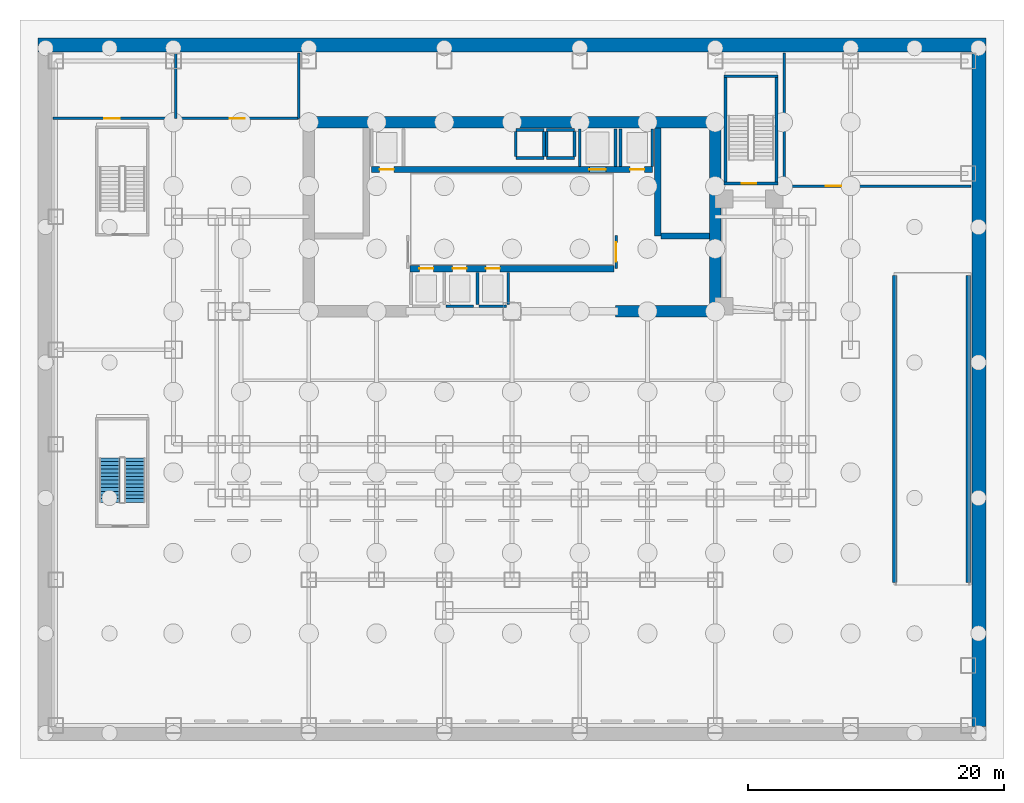
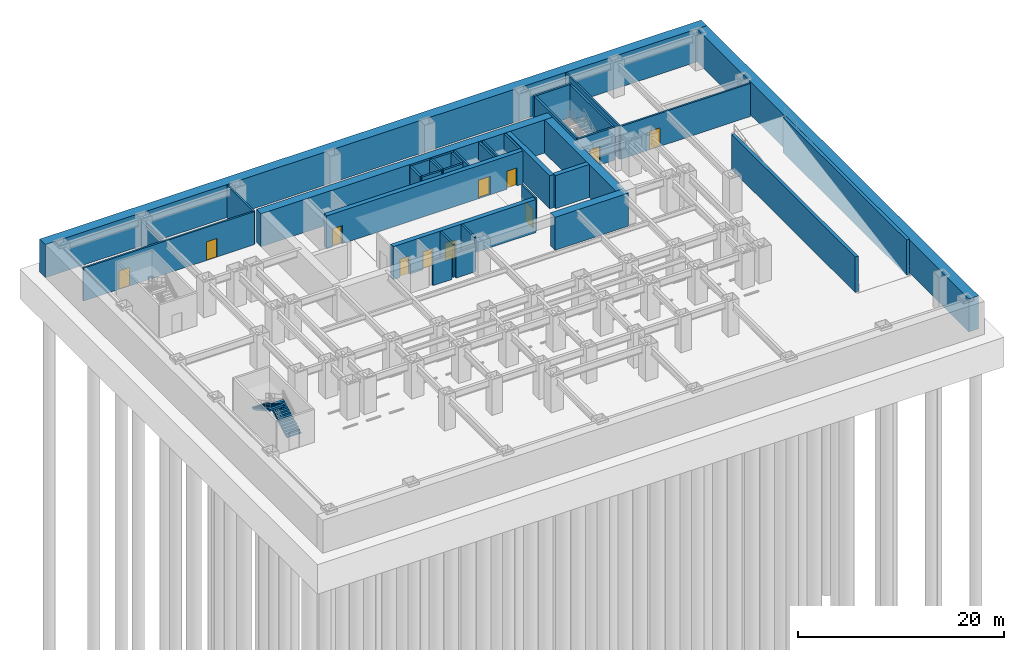
# One storey, part 4 of 7: 37 walls, 11 doors, 2 stair flights, 11 openings, 1 element without a shape of its own.
"""IFC4 building model written with IfcOpenShell, lengths in metres."""

from ifc_helpers import new_model, si_unit, direction, frame, frame_2d, origin, place, context, subcontext, project, spatial, polyline, rectangle, outline, extrude, material, layer, layer_set, type_object, element, fill, aggregate, save


model = new_model("IFC4")

# Units and contexts
model_context = context("Model", 3, precision=1e-05, world=origin(), true_north=direction((0.0, 1.0)))
body_context = subcontext(model_context, "Body", "Model", "MODEL_VIEW")
ifc_project = project(units=[si_unit("LENGTHUNIT", "METRE"), si_unit("AREAUNIT", "SQUARE_METRE"), si_unit("VOLUMEUNIT", "CUBIC_METRE"), si_unit("PLANEANGLEUNIT", "RADIAN"), si_unit("MASSUNIT", "GRAM", prefix="KILO")], contexts=[model_context])

# Site, building, storey
site_placement = place(None, origin())
site = spatial("IfcSite", under=ifc_project, at=site_placement, CompositionType="ELEMENT")
building_placement = place(site_placement, origin())
building = spatial("IfcBuilding", under=site, at=building_placement, Name="Qianlan Lanfeng Residences", CompositionType="ELEMENT")
storey_placement = place(building_placement, frame((0.0, 0.0, -8.39990234375)))
storey = spatial("IfcBuildingStorey", under=building, at=storey_placement, Name="B2", CompositionType="ELEMENT", Elevation=-8.39990234375)

# Walls
ifc_material_1 = material(Name="Concrete C49", Category="concrete")
ifc_layer_1 = layer(ifc_material_1, 0.35009765625)
ifc_layer_set_1 = layer_set([ifc_layer_1], Name="Concrete C49")
wall_type_1 = type_object("IfcWallType", Name="CW-RC-350", PredefinedType="SHEAR", material=ifc_layer_set_1)
for number, where, z_axis, x_axis, name in (
    (1, (56.449951171875, 4.0, 0.0), (0.0, 0.0, 1.0), (0.0, 1.0, 0.0), "B2 Vehicle Ramp Structural Bearing Wall W"),
    (2, (62.219970703125, 4.0, 0.0), (0.0, 0.0, 1.0), (0.0, 1.0, 0.0), "B2 Vehicle Ramp Structural Bearing Wall E"),
):
    element("IfcWall", number, at=place(storey_placement, frame(where, z_axis=z_axis, x_axis=x_axis)), inside=storey, type_object=wall_type_1, Name=name, PredefinedType="SHEAR", context=body_context, shape_type="SweptSolid", body=[
        extrude(rectangle(XDim=24.0, YDim=0.35009765625, at=frame_2d((12.0, 0.0))), origin(), (0.0, 0.0, 1.0), 4.199951171875),
    ])
ifc_material_2 = material(Name="Concrete C70", Category="concrete")
ifc_layer_2 = layer(ifc_material_2, 0.5)
ifc_layer_set_2 = layer_set([ifc_layer_2], Name="Concrete C70")
wall_type_2 = type_object("IfcWallType", Name="CW-RC-500", PredefinedType="SHEAR", material=ifc_layer_set_2)
wall_1_placement = place(storey_placement, frame((37.89990234375, 31.10009765625, 0.0), z_axis=(0.0, 0.0, 1.0), x_axis=(0.0, 1.0, 0.0)))
element("IfcWall", 3, at=wall_1_placement, inside=storey, type_object=wall_type_2, Name="B2 Core Shear Wall ST2W", PredefinedType="SHEAR", context=body_context, shape_type="SweptSolid", body=[
    extrude(rectangle(XDim=8.449951171875, YDim=0.5, at=frame_2d((4.22509765625, 0.0))), origin(), (0.0, 0.0, 1.0), 3.919921875),
])
wall_2_placement = place(storey_placement, frame((38.14990234375, 31.10009765625, 0.0), z_axis=(0.0, 0.0, 1.0), x_axis=(1.0, 0.0, 0.0)))
element("IfcWall", 4, at=wall_2_placement, inside=storey, type_object=wall_type_2, Name="B2 Core Shear Wall ST2S", PredefinedType="SHEAR", context=body_context, shape_type="SweptSolid", body=[
    extrude(rectangle(XDim=3.800048828125, YDim=0.5, at=frame_2d((1.89990234375, 0.0))), origin(), (0.0, 0.0, 1.0), 3.919921875),
])

# Wall, openings, doors
wall_3_placement = place(storey_placement, frame((15.5, 36.300048828125, 0.0), z_axis=(0.0, 0.0, 1.0), x_axis=(1.0, 0.0, 0.0)))
wall_3 = element("IfcWall", 5, at=wall_3_placement, inside=storey, type_object=wall_type_2, Name="B2 Core Shear Wall LBN", PredefinedType="SHEAR", context=body_context, shape_type="SweptSolid", body=[
    extrude(rectangle(XDim=22.0, YDim=0.5, at=frame_2d((11.0, 0.0))), origin(), (0.0, 0.0, 1.0), 3.919921875),
])
opening_1_placement = place(wall_3_placement, frame((0.64990234375, 0.0, 0.0)))
opening_1 = element("IfcOpeningElement", 6, at=opening_1_placement, cuts=wall_3, Name="Opening B2-LD-FFL-1", PredefinedType="OPENING", context=body_context, shape_type="SweptSolid", body=[
    extrude(rectangle(XDim=1.10009765625, YDim=2.14990234375, at=frame_2d((0.550048828125, 1.074951171875))), frame((0.0, 0.260009765625, 0.0), z_axis=(0.0, -1.0, 0.0), x_axis=(1.0, 0.0, 0.0)), (0.0, 0.0, 1.0), 0.52001953125),
])
opening_2_placement = place(wall_3_placement, frame((20.25, 0.0, 0.0)))
opening_2 = element("IfcOpeningElement", 7, at=opening_2_placement, cuts=wall_3, Name="Opening B2-LD-FFL-2", PredefinedType="OPENING", context=body_context, shape_type="SweptSolid", body=[
    extrude(rectangle(XDim=1.10009765625, YDim=2.14990234375, at=frame_2d((0.550048828125, 1.074951171875))), frame((0.0, 0.260009765625, 0.0), z_axis=(0.0, -1.0, 0.0), x_axis=(1.0, 0.0, 0.0)), (0.0, 0.0, 1.0), 0.52001953125),
])
opening_3_placement = place(wall_3_placement, frame((17.050048828125, 0.0, 0.0)))
opening_3 = element("IfcOpeningElement", 8, at=opening_3_placement, cuts=wall_3, Name="Opening B2-LD-SVL-1", PredefinedType="OPENING", context=body_context, shape_type="SweptSolid", body=[
    extrude(rectangle(XDim=1.300048828125, YDim=2.199951171875, at=frame_2d((0.64990234375, 1.10009765625))), frame((0.0, 0.260009765625, 0.0), z_axis=(0.0, -1.0, 0.0), x_axis=(1.0, 0.0, 0.0)), (0.0, 0.0, 1.0), 0.52001953125),
])
ifc_material_3 = material(Name="Brushed Stainless Steel Sliding Lift Door", Category="steel")
door_type_1 = type_object("IfcDoorType", Name="LD-01", OperationType="NOTDEFINED", PredefinedType="DOOR", material=ifc_material_3)
door_1_placement = place(opening_1_placement, frame((1.10009765625, 0.0, 0.0), z_axis=(0.0, 0.0, 1.0), x_axis=(-1.0, 0.0, 0.0)))
door_1 = element("IfcDoor", 9, at=door_1_placement, inside=storey, type_object=door_type_1, Name="B2 Elevator FFL-1 Sliding Landing Door", OperationType="DOUBLE_DOOR_SLIDING", OverallHeight=2.14990234375, OverallWidth=1.10009765625, PredefinedType="DOOR", context=body_context, shape_type="SweptSolid", body=[
    extrude(rectangle(XDim=1.10009765625, YDim=2.14990234375, at=frame_2d((0.550048828125, 1.074951171875))), frame((0.0, 0.02490234375, 0.0), z_axis=(0.0, -1.0, 0.0), x_axis=(1.0, 0.0, 0.0)), (0.0, 0.0, 1.0), 0.050048828125),
])
fill(opening_1, door_1)
door_2_placement = place(opening_2_placement, frame((1.10009765625, 0.0, 0.0), z_axis=(0.0, 0.0, 1.0), x_axis=(-1.0, 0.0, 0.0)))
door_2 = element("IfcDoor", 10, at=door_2_placement, inside=storey, type_object=door_type_1, Name="B2 Elevator FFL-2 Sliding Landing Door", OperationType="DOUBLE_DOOR_SLIDING", OverallHeight=2.14990234375, OverallWidth=1.10009765625, PredefinedType="DOOR", context=body_context, shape_type="SweptSolid", body=[
    extrude(rectangle(XDim=1.10009765625, YDim=2.14990234375, at=frame_2d((0.550048828125, 1.074951171875))), frame((0.0, 0.02490234375, 0.0), z_axis=(0.0, -1.0, 0.0), x_axis=(1.0, 0.0, 0.0)), (0.0, 0.0, 1.0), 0.050048828125),
])
fill(opening_2, door_2)
door_type_2 = type_object("IfcDoorType", Name="LD-02", OperationType="NOTDEFINED", PredefinedType="DOOR", material=ifc_material_3)
door_3_placement = place(opening_3_placement, frame((1.300048828125, 0.0, 0.0), z_axis=(0.0, 0.0, 1.0), x_axis=(-1.0, 0.0, 0.0)))
door_3 = element("IfcDoor", 11, at=door_3_placement, inside=storey, type_object=door_type_2, Name="B2 Elevator SVL-1 Sliding Landing Door", OperationType="DOUBLE_DOOR_SLIDING", OverallHeight=2.199951171875, OverallWidth=1.300048828125, PredefinedType="DOOR", context=body_context, shape_type="SweptSolid", body=[
    extrude(rectangle(XDim=1.300048828125, YDim=2.199951171875, at=frame_2d((0.64990234375, 1.10009765625))), frame((0.0, 0.02490234375, 0.0), z_axis=(0.0, -1.0, 0.0), x_axis=(1.0, 0.0, 0.0)), (0.0, 0.0, 1.0), 0.050048828125),
])
fill(opening_3, door_3)

wall_4_placement = place(storey_placement, frame((18.5, 28.550048828125, 0.0), z_axis=(0.0, 0.0, 1.0), x_axis=(1.0, 0.0, 0.0)))
wall_4 = element("IfcWall", 12, at=wall_4_placement, inside=storey, type_object=wall_type_2, Name="B2 Core Shear Wall LBS", PredefinedType="SHEAR", context=body_context, shape_type="SweptSolid", body=[
    extrude(rectangle(XDim=16.0, YDim=0.5, at=frame_2d((8.0, 0.0))), origin(), (0.0, 0.0, 1.0), 3.919921875),
])
opening_4_placement = place(wall_4_placement, frame((0.75, 0.0, 0.0)))
opening_4 = element("IfcOpeningElement", 13, at=opening_4_placement, cuts=wall_4, Name="Opening B2-LD-PL-L1", PredefinedType="OPENING", context=body_context, shape_type="SweptSolid", body=[
    extrude(rectangle(XDim=1.10009765625, YDim=2.14990234375, at=frame_2d((0.550048828125, 1.074951171875))), frame((0.0, 0.260009765625, 0.0), z_axis=(0.0, -1.0, 0.0), x_axis=(1.0, 0.0, 0.0)), (0.0, 0.0, 1.0), 0.52001953125),
])
opening_5_placement = place(wall_4_placement, frame((3.35009765625, 0.0, 0.0)))
opening_5 = element("IfcOpeningElement", 14, at=opening_5_placement, cuts=wall_4, Name="Opening B2-LD-PL-L2", PredefinedType="OPENING", context=body_context, shape_type="SweptSolid", body=[
    extrude(rectangle(XDim=1.10009765625, YDim=2.14990234375, at=frame_2d((0.550048828125, 1.074951171875))), frame((0.0, 0.260009765625, 0.0), z_axis=(0.0, -1.0, 0.0), x_axis=(1.0, 0.0, 0.0)), (0.0, 0.0, 1.0), 0.52001953125),
])
opening_6_placement = place(wall_4_placement, frame((5.949951171875, 0.0, 0.0)))
opening_6 = element("IfcOpeningElement", 15, at=opening_6_placement, cuts=wall_4, Name="Opening B2-LD-PL-L3", PredefinedType="OPENING", context=body_context, shape_type="SweptSolid", body=[
    extrude(rectangle(XDim=1.10009765625, YDim=2.14990234375, at=frame_2d((0.550048828125, 1.074951171875))), frame((0.0, 0.260009765625, 0.0), z_axis=(0.0, -1.0, 0.0), x_axis=(1.0, 0.0, 0.0)), (0.0, 0.0, 1.0), 0.52001953125),
])
door_4_placement = place(opening_4_placement, origin())
door_4 = element("IfcDoor", 16, at=door_4_placement, inside=storey, type_object=door_type_1, Name="B2 Elevator PL-L1 Sliding Landing Door", OperationType="DOUBLE_DOOR_SLIDING", OverallHeight=2.14990234375, OverallWidth=1.10009765625, PredefinedType="DOOR", context=body_context, shape_type="SweptSolid", body=[
    extrude(rectangle(XDim=1.10009765625, YDim=2.14990234375, at=frame_2d((0.550048828125, 1.074951171875))), frame((0.0, 0.02490234375, 0.0), z_axis=(0.0, -1.0, 0.0), x_axis=(1.0, 0.0, 0.0)), (0.0, 0.0, 1.0), 0.050048828125),
])
fill(opening_4, door_4)
door_5_placement = place(opening_5_placement, origin())
door_5 = element("IfcDoor", 17, at=door_5_placement, inside=storey, type_object=door_type_1, Name="B2 Elevator PL-L2 Sliding Landing Door", OperationType="DOUBLE_DOOR_SLIDING", OverallHeight=2.14990234375, OverallWidth=1.10009765625, PredefinedType="DOOR", context=body_context, shape_type="SweptSolid", body=[
    extrude(rectangle(XDim=1.10009765625, YDim=2.14990234375, at=frame_2d((0.550048828125, 1.074951171875))), frame((0.0, 0.02490234375, 0.0), z_axis=(0.0, -1.0, 0.0), x_axis=(1.0, 0.0, 0.0)), (0.0, 0.0, 1.0), 0.050048828125),
])
fill(opening_5, door_5)
door_6_placement = place(opening_6_placement, origin())
door_6 = element("IfcDoor", 18, at=door_6_placement, inside=storey, type_object=door_type_1, Name="B2 Elevator PL-L3 Sliding Landing Door", OperationType="DOUBLE_DOOR_SLIDING", OverallHeight=2.14990234375, OverallWidth=1.10009765625, PredefinedType="DOOR", context=body_context, shape_type="SweptSolid", body=[
    extrude(rectangle(XDim=1.10009765625, YDim=2.14990234375, at=frame_2d((0.550048828125, 1.074951171875))), frame((0.0, 0.02490234375, 0.0), z_axis=(0.0, -1.0, 0.0), x_axis=(1.0, 0.0, 0.0)), (0.0, 0.0, 1.0), 0.050048828125),
])
fill(opening_6, door_6)

# Walls
ifc_layer_3 = layer(ifc_material_2, 0.89990234375)
ifc_layer_set_3 = layer_set([ifc_layer_3], Name="Concrete C70")
wall_type_3 = type_object("IfcWallType", Name="CW-RC-900", PredefinedType="SHEAR", material=ifc_layer_set_3)
wall_5_placement = place(storey_placement, frame((10.14990234375, 40.0, 0.0), z_axis=(0.0, 0.0, 1.0), x_axis=(1.0, 0.0, 0.0)))
element("IfcWall", 19, at=wall_5_placement, inside=storey, type_object=wall_type_3, Name="B2 Core Shear Wall N", PredefinedType="SHEAR", context=body_context, shape_type="SweptSolid", body=[
    extrude(rectangle(XDim=32.7001953125, YDim=0.89990234375, at=frame_2d((16.35009765625, 0.0))), origin(), (0.0, 0.0, 1.0), 3.919921875),
])
wall_6_placement = place(storey_placement, frame((42.39990234375, 25.64990234375, 0.0), z_axis=(0.0, 0.0, 1.0), x_axis=(0.0, 1.0, 0.0)))
element("IfcWall", 20, at=wall_6_placement, inside=storey, type_object=wall_type_3, Name="B2 Core Shear Wall E", PredefinedType="SHEAR", context=body_context, shape_type="SweptSolid", body=[
    extrude(rectangle(XDim=13.900146484375, YDim=0.89990234375, at=frame_2d((6.9501953125, 0.0))), origin(), (0.0, 0.0, 1.0), 3.919921875),
])
wall_7_placement = place(storey_placement, frame((34.60009765625, 25.199951171875, 0.0), z_axis=(0.0, 0.0, 1.0), x_axis=(1.0, 0.0, 0.0)))
element("IfcWall", 21, at=wall_7_placement, inside=storey, type_object=wall_type_3, Name="B2 Core Shear Wall SE", PredefinedType="SHEAR", context=body_context, shape_type="SweptSolid", body=[
    extrude(rectangle(XDim=8.25, YDim=0.89990234375, at=frame_2d((4.125, 0.0))), origin(), (0.0, 0.0, 1.0), 3.919921875),
])
ifc_layer_4 = layer(ifc_material_1, 1.10009765625)
ifc_layer_set_4 = layer_set([ifc_layer_4], Name="Concrete C49")
wall_type_4 = type_object("IfcWallType", Name="DW-1100", PredefinedType="USERDEFINED", material=ifc_layer_set_4)
wall_8_placement = place(storey_placement, frame((63.050048828125, -7.300048828125, 0.0), z_axis=(0.0, 0.0, 1.0), x_axis=(0.0, 1.0, 0.0)))
element("IfcWall", 22, at=wall_8_placement, inside=storey, type_object=wall_type_4, Name="B2 Diaphragm Retaining Wall E", ObjectType="RETAININGWALL", PredefinedType="USERDEFINED", context=body_context, shape_type="SweptSolid", body=[
    extrude(rectangle(XDim=52.800048828125, YDim=1.10009765625, at=frame_2d((26.39990234375, 0.0))), origin(), (0.0, 0.0, 1.0), 3.919921875),
])
wall_9_placement = place(storey_placement, frame((63.60009765625, 46.050048828125, 0.0), z_axis=(0.0, 0.0, 1.0), x_axis=(-1.0, 0.0, 0.0)))
element("IfcWall", 23, at=wall_9_placement, inside=storey, type_object=wall_type_4, Name="B2 Diaphragm Retaining Wall N", ObjectType="RETAININGWALL", PredefinedType="USERDEFINED", context=body_context, shape_type="SweptSolid", body=[
    extrude(rectangle(XDim=74.2001953125, YDim=1.10009765625, at=frame_2d((37.10009765625, 0.0))), origin(), (0.0, 0.0, 1.0), 3.919921875),
])

# Wall, opening, door
ifc_material_4 = material(Name="Autoclaved Aerated Concrete Blockwork 200 mm", Category="masonry")
ifc_layer_5 = layer(ifc_material_4, 0.199951171875)
ifc_layer_set_5 = layer_set([ifc_layer_5], Name="Autoclaved Aerated Concrete Blockwork 200 mm")
wall_type_5 = type_object("IfcWallType", Name="PW-200", PredefinedType="PARTITIONING", material=ifc_layer_set_5)
wall_10_placement = place(storey_placement, frame((34.64990234375, 28.550048828125, 0.0), z_axis=(0.0, 0.0, 1.0), x_axis=(0.0, 1.0, 0.0)))
wall_10 = element("IfcWall", 24, at=wall_10_placement, inside=storey, type_object=wall_type_5, Name="B2 Lift Lobby East Connector Wall", PredefinedType="PARTITIONING", context=body_context, shape_type="SweptSolid", body=[
    extrude(rectangle(XDim=2.599853515625, YDim=0.199951171875, at=frame_2d((1.2998046875, 0.0))), origin(), (0.0, 0.0, 1.0), 3.919921875),
])
opening_7_placement = place(wall_10_placement, frame((0.550048828125, 0.0, 0.0)))
opening_7 = element("IfcOpeningElement", 25, at=opening_7_placement, cuts=wall_10, Name="Opening B2-D05", PredefinedType="OPENING", context=body_context, shape_type="SweptSolid", body=[
    extrude(rectangle(XDim=1.5, YDim=2.25, at=frame_2d((0.75, 1.125))), frame((0.0, 0.10986328125, 0.0), z_axis=(0.0, -1.0, 0.0), x_axis=(1.0, 0.0, 0.0)), (0.0, 0.0, 1.0), 0.219970703125),
])
ifc_material_5 = material(Name="Timber Veneer Acoustic Fire Door", Category="wood")
door_type_3 = type_object("IfcDoorType", Name="DT-COR1", OperationType="NOTDEFINED", PredefinedType="DOOR", material=ifc_material_5)
door_7_placement = place(opening_7_placement, frame((1.5, 0.0, 0.0), z_axis=(0.0, 0.0, 1.0), x_axis=(-1.0, 0.0, 0.0)))
door_7 = element("IfcDoor", 26, at=door_7_placement, inside=storey, type_object=door_type_3, Name="B2 Lift Lobby East Portal Door B2-D05 (DT-COR1)", OperationType="DOUBLE_DOOR_SINGLE_SWING", OverallHeight=2.25, OverallWidth=1.5, PredefinedType="DOOR", context=body_context, shape_type="SweptSolid", body=[
    extrude(rectangle(XDim=1.5, YDim=2.25, at=frame_2d((0.75, 1.125))), frame((0.0, 0.02490234375, 0.0), z_axis=(0.0, -1.0, 0.0), x_axis=(1.0, 0.0, 0.0)), (0.0, 0.0, 1.0), 0.050048828125),
])
fill(opening_7, door_7)

# Wall, openings, doors
wall_11_placement = place(storey_placement, frame((-9.39990234375, 40.300048828125, 0.0), z_axis=(0.0, 0.0, 1.0), x_axis=(1.0, 0.0, 0.0)))
wall_11 = element("IfcWall", 27, at=wall_11_placement, inside=storey, type_object=wall_type_5, Name="B2 Basement Plant Room Wall", PredefinedType="PARTITIONING", context=body_context, shape_type="SweptSolid", body=[
    extrude(rectangle(XDim=19.199951171875, YDim=0.199951171875, at=frame_2d((9.60009765625, 0.0))), origin(), (0.0, 0.0, 1.0), 3.919921875),
])
opening_8_placement = place(wall_11_placement, frame((4.0, 0.0, 0.0)))
opening_8 = element("IfcOpeningElement", 28, at=opening_8_placement, cuts=wall_11, Name="Opening B2-D06", PredefinedType="OPENING", context=body_context, shape_type="SweptSolid", body=[
    extrude(rectangle(XDim=1.199951171875, YDim=2.199951171875, at=frame_2d((0.60009765625, 1.10009765625))), frame((0.0, 0.10986328125, 0.0), z_axis=(0.0, -1.0, 0.0), x_axis=(1.0, 0.0, 0.0)), (0.0, 0.0, 1.0), 0.219970703125),
])
opening_9_placement = place(wall_11_placement, frame((13.800048828125, 0.0, 0.0)))
opening_9 = element("IfcOpeningElement", 29, at=opening_9_placement, cuts=wall_11, Name="Opening B2-D07", PredefinedType="OPENING", context=body_context, shape_type="SweptSolid", body=[
    extrude(rectangle(XDim=1.199951171875, YDim=2.199951171875, at=frame_2d((0.60009765625, 1.10009765625))), frame((0.0, 0.10986328125, 0.0), z_axis=(0.0, -1.0, 0.0), x_axis=(1.0, 0.0, 0.0)), (0.0, 0.0, 1.0), 0.219970703125),
])
ifc_material_6 = material(Name="Painted Galvanised Steel Plant Door", Category="steel")
door_type_4 = type_object("IfcDoorType", Name="DT-PLT", OperationType="NOTDEFINED", PredefinedType="DOOR", material=ifc_material_6)
door_8_placement = place(opening_8_placement, origin())
door_8 = element("IfcDoor", 30, at=door_8_placement, inside=storey, type_object=door_type_4, Name="B2 Basement Plant Room Door B2-D06 (DT-PLT)", OperationType="SINGLE_SWING_RIGHT", OverallHeight=2.199951171875, OverallWidth=1.199951171875, PredefinedType="DOOR", context=body_context, shape_type="SweptSolid", body=[
    extrude(rectangle(XDim=1.199951171875, YDim=2.199951171875, at=frame_2d((0.60009765625, 1.10009765625))), frame((0.0, 0.02490234375, 0.0), z_axis=(0.0, -1.0, 0.0), x_axis=(1.0, 0.0, 0.0)), (0.0, 0.0, 1.0), 0.050048828125),
])
fill(opening_8, door_8)
door_9_placement = place(opening_9_placement, origin())
door_9 = element("IfcDoor", 31, at=door_9_placement, inside=storey, type_object=door_type_4, Name="B2 Fire Pump Room Door B2-D07 (DT-PLT)", OperationType="SINGLE_SWING_LEFT", OverallHeight=2.199951171875, OverallWidth=1.199951171875, PredefinedType="DOOR", context=body_context, shape_type="SweptSolid", body=[
    extrude(rectangle(XDim=1.199951171875, YDim=2.199951171875, at=frame_2d((0.60009765625, 1.10009765625))), frame((0.0, 0.02490234375, 0.0), z_axis=(0.0, -1.0, 0.0), x_axis=(1.0, 0.0, 0.0)), (0.0, 0.0, 1.0), 0.050048828125),
])
fill(opening_9, door_9)

# Walls
wall_12_placement = place(storey_placement, frame((9.800048828125, 40.300048828125, 0.0), z_axis=(0.0, 0.0, 1.0), x_axis=(0.0, 1.0, 0.0)))
element("IfcWall", 32, at=wall_12_placement, inside=storey, type_object=wall_type_5, Name="B2 Basement Plant East Wall", PredefinedType="PARTITIONING", context=body_context, shape_type="SweptSolid", body=[
    extrude(rectangle(XDim=5.099853515625, YDim=0.199951171875, at=frame_2d((2.5498046875, 0.0))), origin(), (0.0, 0.0, 1.0), 3.919921875),
])
wall_13_placement = place(storey_placement, frame((0.199951171875, 40.300048828125, 0.0), z_axis=(0.0, 0.0, 1.0), x_axis=(0.0, 1.0, 0.0)))
element("IfcWall", 33, at=wall_13_placement, inside=storey, type_object=wall_type_5, Name="B2 Basement Plant Divider", PredefinedType="PARTITIONING", context=body_context, shape_type="SweptSolid", body=[
    extrude(rectangle(XDim=5.099853515625, YDim=0.199951171875, at=frame_2d((2.5498046875, 0.0))), origin(), (0.0, 0.0, 1.0), 3.06494140625),
])
wall_14_placement = place(storey_placement, frame((47.800048828125, 35.0, 0.0), z_axis=(0.0, 0.0, 1.0), x_axis=(0.0, 1.0, 0.0)))
element("IfcWall", 34, at=wall_14_placement, inside=storey, type_object=wall_type_5, Name="B2 Storage West Wall", PredefinedType="PARTITIONING", context=body_context, shape_type="SweptSolid", body=[
    extrude(rectangle(XDim=10.39990234375, YDim=0.199951171875, at=frame_2d((5.199951171875, 0.0))), origin(), (0.0, 0.0, 1.0), 3.919921875),
])

# Wall, opening, door
wall_15_placement = place(storey_placement, frame((47.800048828125, 35.0, 0.0), z_axis=(0.0, 0.0, 1.0), x_axis=(1.0, 0.0, 0.0)))
wall_15 = element("IfcWall", 35, at=wall_15_placement, inside=storey, type_object=wall_type_5, Name="B2 Storage South Wall", PredefinedType="PARTITIONING", context=body_context, shape_type="SweptSolid", body=[
    extrude(rectangle(XDim=14.599853515625, YDim=0.199951171875, at=frame_2d((7.2998046875, 0.0))), origin(), (0.0, 0.0, 1.0), 3.919921875),
])
opening_10_placement = place(wall_15_placement, frame((3.25, 0.0, 0.0)))
opening_10 = element("IfcOpeningElement", 36, at=opening_10_placement, cuts=wall_15, Name="Opening B2-D08", PredefinedType="OPENING", context=body_context, shape_type="SweptSolid", body=[
    extrude(rectangle(XDim=1.199951171875, YDim=2.199951171875, at=frame_2d((0.60009765625, 1.10009765625))), frame((0.0, 0.10986328125, 0.0), z_axis=(0.0, -1.0, 0.0), x_axis=(1.0, 0.0, 0.0)), (0.0, 0.0, 1.0), 0.219970703125),
])
door_10_placement = place(opening_10_placement, origin())
door_10 = element("IfcDoor", 37, at=door_10_placement, inside=storey, type_object=door_type_4, Name="B2 Resident Storage Room Door B2-D08 (DT-PLT)", OperationType="SINGLE_SWING_RIGHT", OverallHeight=2.199951171875, OverallWidth=1.199951171875, PredefinedType="DOOR", context=body_context, shape_type="SweptSolid", body=[
    extrude(rectangle(XDim=1.199951171875, YDim=2.199951171875, at=frame_2d((0.60009765625, 1.10009765625))), frame((0.0, 0.02490234375, 0.0), z_axis=(0.0, -1.0, 0.0), x_axis=(1.0, 0.0, 0.0)), (0.0, 0.0, 1.0), 0.050048828125),
])
fill(opening_10, door_10)

# Walls
ifc_layer_6 = layer(ifc_material_1, 0.219970703125)
ifc_layer_set_6 = layer_set([ifc_layer_6], Name="Concrete C49")
wall_type_6 = type_object("IfcWallType", Name="SHW-220", PredefinedType="SOLIDWALL", material=ifc_layer_set_6)
for number, where, z_axis, x_axis, name in (
    (38, (35.0, 36.550048828125, 0.0), (0.0, 0.0, 1.0), (0.0, 1.0, 0.0), "B2 Lift FFL-2 Shaft Wall W"),
    (39, (37.47998046875, 36.550048828125, 0.0), (0.0, 0.0, 1.0), (0.0, 1.0, 0.0), "B2 Lift FFL-2 Shaft Wall E"),
    (40, (31.800048828125, 36.550048828125, 0.0), (0.0, 0.0, 1.0), (0.0, 1.0, 0.0), "B2 Lift SVL-1 Shaft Wall W"),
    (41, (34.60009765625, 36.550048828125, 0.0), (0.0, 0.0, 1.0), (0.0, 1.0, 0.0), "B2 Lift SVL-1 Shaft Wall E"),
):
    element("IfcWall", number, at=place(storey_placement, frame(where, z_axis=z_axis, x_axis=x_axis)), inside=storey, type_object=wall_type_6, Name=name, PredefinedType="SOLIDWALL", context=body_context, shape_type="SweptSolid", body=[
        extrude(rectangle(XDim=2.929931640625, YDim=0.219970703125, at=frame_2d((1.46484375, 0.0))), origin(), (0.0, 0.0, 1.0), 3.919921875),
    ])
wall_16_placement = place(storey_placement, frame((21.320068359375, 25.60009765625, 0.0), z_axis=(0.0, 0.0, 1.0), x_axis=(1.0, 0.0, 0.0)))
element("IfcWall", 42, at=wall_16_placement, inside=storey, type_object=wall_type_6, Name="B2 Lift PL-L2 Shaft Back Wall S", PredefinedType="SOLIDWALL", context=body_context, shape_type="SweptSolid", body=[
    extrude(rectangle(XDim=2.159912109375, YDim=0.219970703125, at=frame_2d((1.080078125, 0.0))), origin(), (0.0, 0.0, 1.0), 2.96484375),
])
for number, where, z_axis, x_axis, name in (
    (43, (23.800048828125, 25.719970703125, 0.0), (0.0, 0.0, 1.0), (0.0, 1.0, 0.0), "B2 Lift PL-L3 Shaft Wall W"),
    (44, (26.199951171875, 25.719970703125, 0.0), (0.0, 0.0, 1.0), (0.0, 1.0, 0.0), "B2 Lift PL-L3 Shaft Wall E"),
):
    element("IfcWall", number, at=place(storey_placement, frame(where, z_axis=z_axis, x_axis=x_axis)), inside=storey, type_object=wall_type_6, Name=name, PredefinedType="SOLIDWALL", context=body_context, shape_type="SweptSolid", body=[
        extrude(rectangle(XDim=2.530029296875, YDim=0.219970703125, at=frame_2d((1.26513671875, 0.0))), origin(), (0.0, 0.0, 1.0), 3.919921875),
    ])
wall_17_placement = place(storey_placement, frame((23.919921875, 25.60009765625, 0.0), z_axis=(0.0, 0.0, 1.0), x_axis=(1.0, 0.0, 0.0)))
element("IfcWall", 45, at=wall_17_placement, inside=storey, type_object=wall_type_6, Name="B2 Lift PL-L3 Shaft Back Wall S", PredefinedType="SOLIDWALL", context=body_context, shape_type="SweptSolid", body=[
    extrude(rectangle(XDim=2.16015625, YDim=0.219970703125, at=frame_2d((1.080078125, 0.0))), origin(), (0.0, 0.0, 1.0), 2.96484375),
])
for number, where, z_axis, x_axis, name in (
    (46, (26.800048828125, 37.31005859375, 0.0), (0.0, 0.0, 1.0), (0.0, 1.0, 0.0), "B2 MEP Riser MEP-R1 Shaft Wall W"),
    (47, (29.0, 37.31005859375, 0.0), (0.0, 0.0, 1.0), (0.0, 1.0, 0.0), "B2 MEP Riser MEP-R1 Shaft Wall E"),
):
    element("IfcWall", number, at=place(storey_placement, frame(where, z_axis=z_axis, x_axis=x_axis)), inside=storey, type_object=wall_type_6, Name=name, PredefinedType="SOLIDWALL", context=body_context, shape_type="SweptSolid", body=[
        extrude(rectangle(XDim=1.97998046875, YDim=0.219970703125, at=frame_2d((0.989990234375, 0.0))), origin(), (0.0, 0.0, 1.0), 3.919921875),
    ])
for number, where, z_axis, x_axis, name in (
    (48, (26.800048828125, 39.39990234375, 0.0), (0.0, 0.0, 1.0), (1.0, 0.0, 0.0), "B2 MEP Riser MEP-R1 Shaft Wall N"),
    (49, (26.800048828125, 37.199951171875, 0.0), (0.0, 0.0, 1.0), (1.0, 0.0, 0.0), "B2 MEP Riser MEP-R1 Shaft Wall S"),
):
    element("IfcWall", number, at=place(storey_placement, frame(where, z_axis=z_axis, x_axis=x_axis)), inside=storey, type_object=wall_type_6, Name=name, PredefinedType="SOLIDWALL", context=body_context, shape_type="SweptSolid", body=[
        extrude(rectangle(XDim=2.199951171875, YDim=0.219970703125, at=frame_2d((1.10009765625, 0.0))), origin(), (0.0, 0.0, 1.0), 3.919921875),
    ])
for number, where, z_axis, x_axis, name in (
    (50, (29.199951171875, 37.31005859375, 0.0), (0.0, 0.0, 1.0), (0.0, 1.0, 0.0), "B2 MEP Riser MEP-R2 Shaft Wall W"),
    (51, (31.39990234375, 37.31005859375, 0.0), (0.0, 0.0, 1.0), (0.0, 1.0, 0.0), "B2 MEP Riser MEP-R2 Shaft Wall E"),
):
    element("IfcWall", number, at=place(storey_placement, frame(where, z_axis=z_axis, x_axis=x_axis)), inside=storey, type_object=wall_type_6, Name=name, PredefinedType="SOLIDWALL", context=body_context, shape_type="SweptSolid", body=[
        extrude(rectangle(XDim=1.97998046875, YDim=0.219970703125, at=frame_2d((0.989990234375, 0.0))), origin(), (0.0, 0.0, 1.0), 3.919921875),
    ])
for number, where, z_axis, x_axis, name in (
    (52, (29.199951171875, 39.39990234375, 0.0), (0.0, 0.0, 1.0), (1.0, 0.0, 0.0), "B2 MEP Riser MEP-R2 Shaft Wall N"),
    (53, (29.199951171875, 37.199951171875, 0.0), (0.0, 0.0, 1.0), (1.0, 0.0, 0.0), "B2 MEP Riser MEP-R2 Shaft Wall S"),
):
    element("IfcWall", number, at=place(storey_placement, frame(where, z_axis=z_axis, x_axis=x_axis)), inside=storey, type_object=wall_type_6, Name=name, PredefinedType="SOLIDWALL", context=body_context, shape_type="SweptSolid", body=[
        extrude(rectangle(XDim=2.199951171875, YDim=0.219970703125, at=frame_2d((1.10009765625, 0.0))), origin(), (0.0, 0.0, 1.0), 3.919921875),
    ])
ifc_layer_7 = layer(ifc_material_1, 0.219970703125)
ifc_layer_set_7 = layer_set([ifc_layer_7], Name="Concrete C49")
wall_type_7 = type_object("IfcWallType", Name="STW-RC-220", PredefinedType="SHEAR", material=ifc_layer_set_7)
wall_18_placement = place(storey_placement, frame((43.090087890625, 43.60009765625, 0.0), z_axis=(0.0, 0.0, 1.0), x_axis=(1.0, 0.0, 0.0)))
element("IfcWall", 54, at=wall_18_placement, inside=storey, type_object=wall_type_7, Name="B2 Stair ST-B2 Enclosure Wall N", PredefinedType="SHEAR", context=body_context, shape_type="SweptSolid", body=[
    extrude(rectangle(XDim=4.219970703125, YDim=0.219970703125, at=frame_2d((2.10986328125, 0.0))), origin(), (0.0, 0.0, 1.0), 3.919921875),
])
for number, where, z_axis, x_axis, name in (
    (55, (43.199951171875, 35.31005859375, 0.0), (0.0, 0.0, 1.0), (0.0, 1.0, 0.0), "B2 Stair ST-B2 Enclosure Wall W"),
    (56, (47.199951171875, 35.31005859375, 0.0), (0.0, 0.0, 1.0), (0.0, 1.0, 0.0), "B2 Stair ST-B2 Enclosure Wall E"),
):
    element("IfcWall", number, at=place(storey_placement, frame(where, z_axis=z_axis, x_axis=x_axis)), inside=storey, type_object=wall_type_7, Name=name, PredefinedType="SHEAR", context=body_context, shape_type="SweptSolid", body=[
        extrude(rectangle(XDim=8.179931640625, YDim=0.219970703125, at=frame_2d((4.08984375, 0.0))), origin(), (0.0, 0.0, 1.0), 3.919921875),
    ])

# Wall, opening, door
wall_19_placement = place(storey_placement, frame((43.090087890625, 35.199951171875, 0.0), z_axis=(0.0, 0.0, 1.0), x_axis=(1.0, 0.0, 0.0)))
wall_19 = element("IfcWall", 57, at=wall_19_placement, inside=storey, type_object=wall_type_7, Name="B2 Stair ST-B2 Enclosure Wall S", PredefinedType="SHEAR", context=body_context, shape_type="SweptSolid", body=[
    extrude(rectangle(XDim=4.219970703125, YDim=0.219970703125, at=frame_2d((2.10986328125, 0.0))), origin(), (0.0, 0.0, 1.0), 3.919921875),
])
opening_11_placement = place(wall_19_placement, frame((1.375, 0.0, 0.0)))
opening_11 = element("IfcOpeningElement", 58, at=opening_11_placement, cuts=wall_19, Name="Opening B2-D02", PredefinedType="OPENING", context=body_context, shape_type="SweptSolid", body=[
    extrude(rectangle(XDim=1.14990234375, YDim=2.199951171875, at=frame_2d((0.574951171875, 1.10009765625))), frame((0.0, 0.1201171875, 0.0), z_axis=(0.0, -1.0, 0.0), x_axis=(1.0, 0.0, 0.0)), (0.0, 0.0, 1.0), 0.239990234375),
])
ifc_material_7 = material(Name="Painted Galvanised Steel Fire Door", Category="steel")
door_type_5 = type_object("IfcDoorType", Name="DT-ST1", OperationType="NOTDEFINED", PredefinedType="DOOR", material=ifc_material_7)
door_11_placement = place(opening_11_placement, origin())
door_11 = element("IfcDoor", 59, at=door_11_placement, inside=storey, type_object=door_type_5, Name="B2 Exit Stair ST-B2 Door B2-D02 (DT-ST1)", OperationType="SINGLE_SWING_RIGHT", OverallHeight=2.199951171875, OverallWidth=1.14990234375, PredefinedType="DOOR", context=body_context, shape_type="SweptSolid", body=[
    extrude(rectangle(XDim=1.14990234375, YDim=2.199951171875, at=frame_2d((0.574951171875, 1.10009765625))), frame((0.0, 0.02490234375, 0.0), z_axis=(0.0, -1.0, 0.0), x_axis=(1.0, 0.0, 0.0)), (0.0, 0.0, 1.0), 0.050048828125),
])
fill(opening_11, door_11)

# Stair, stair flights
ifc_material_8 = material(Name="Concrete C42", Category="concrete")
stair_type = type_object("IfcStairType", Name="STR-POD", PredefinedType="HALF_TURN_STAIR", material=ifc_material_8)
stair_placement = place(storey_placement, origin())
stair = element("IfcStair", 60, at=stair_placement, inside=storey, type_object=stair_type, Name="B2 Exit Stair ST-BP1", PredefinedType="HALF_TURN_STAIR")
stair_flight_type = type_object("IfcStairFlightType", Name="FLT-1650", PredefinedType="STRAIGHT", material=ifc_material_8)
stair_flight_1_placement = place(storey_placement, frame((-3.02001953125, 10.25, 0.0), z_axis=(0.0, 0.0, 1.0), x_axis=(0.0, 1.0, 0.0)))
stair_flight_1 = element("IfcStairFlight", 61, at=stair_flight_1_placement, type_object=stair_flight_type, Name="ST-BP1 flight 1", NumberOfRisers=13, NumberOfTreads=12, PredefinedType="STRAIGHT", RiserHeight=0.161538462, TreadLength=0.29, context=body_context, shape_type="SweptSolid", body=[
    extrude(outline(polyline([(0.0, 0.0), (0.0, 0.16162109375), (0.2900390625, 0.16162109375), (0.2900390625, 0.322998046875), (0.580078125, 0.322998046875), (0.580078125, 0.484619140625), (0.8701171875, 0.484619140625), (0.8701171875, 0.646240234375), (1.159912109375, 0.646240234375), (1.159912109375, 0.8076171875), (1.449951171875, 0.8076171875), (1.449951171875, 0.96923828125), (1.739990234375, 0.96923828125), (1.739990234375, 1.130859375), (2.030029296875, 1.130859375), (2.030029296875, 1.292236328125), (2.320068359375, 1.292236328125), (2.320068359375, 1.453857421875), (2.610107421875, 1.453857421875), (2.610107421875, 1.615478515625), (2.89990234375, 1.615478515625), (2.89990234375, 1.77685546875), (3.18994140625, 1.77685546875), (3.18994140625, 1.9384765625), (3.47998046875, 1.9384765625), (3.47998046875, 2.10009765625), (3.47998046875, 1.732421875), (0.369873046875, 0.0), (0.0, 0.0)])), frame((0.0, 0.7900390625, 0.0), z_axis=(0.0, -1.0, 0.0), x_axis=(1.0, 0.0, 0.0)), (0.0, 0.0, 1.0), 1.580078125),
])
stair_flight_2_placement = place(storey_placement, frame((-4.97998046875, 13.72998046875, 2.099853515625), z_axis=(0.0, 0.0, 1.0), x_axis=(0.0, -1.0, 0.0)))
stair_flight_2 = element("IfcStairFlight", 62, at=stair_flight_2_placement, type_object=stair_flight_type, Name="ST-BP1 flight 2", NumberOfRisers=13, NumberOfTreads=12, PredefinedType="STRAIGHT", RiserHeight=0.161538462, TreadLength=0.29, context=body_context, shape_type="SweptSolid", body=[
    extrude(outline(polyline([(0.0, 0.0), (0.0, 0.16162109375), (0.2900390625, 0.16162109375), (0.2900390625, 0.322998046875), (0.580078125, 0.322998046875), (0.580078125, 0.484619140625), (0.8701171875, 0.484619140625), (0.8701171875, 0.646240234375), (1.159912109375, 0.646240234375), (1.159912109375, 0.8076171875), (1.449951171875, 0.8076171875), (1.449951171875, 0.96923828125), (1.739990234375, 0.96923828125), (1.739990234375, 1.130859375), (2.030029296875, 1.130859375), (2.030029296875, 1.292236328125), (2.320068359375, 1.292236328125), (2.320068359375, 1.453857421875), (2.610107421875, 1.453857421875), (2.610107421875, 1.615478515625), (2.89990234375, 1.615478515625), (2.89990234375, 1.77685546875), (3.18994140625, 1.77685546875), (3.18994140625, 1.9384765625), (3.47998046875, 1.9384765625), (3.47998046875, 2.10009765625), (3.47998046875, 1.732421875), (0.369873046875, 0.0), (0.0, 0.0)])), frame((0.0, 0.7900390625, 0.0), z_axis=(0.0, -1.0, 0.0), x_axis=(1.0, 0.0, 0.0)), (0.0, 0.0, 1.0), 1.580078125),
])
aggregate(stair, [stair_flight_1, stair_flight_2])

save(model, "model.ifc")
